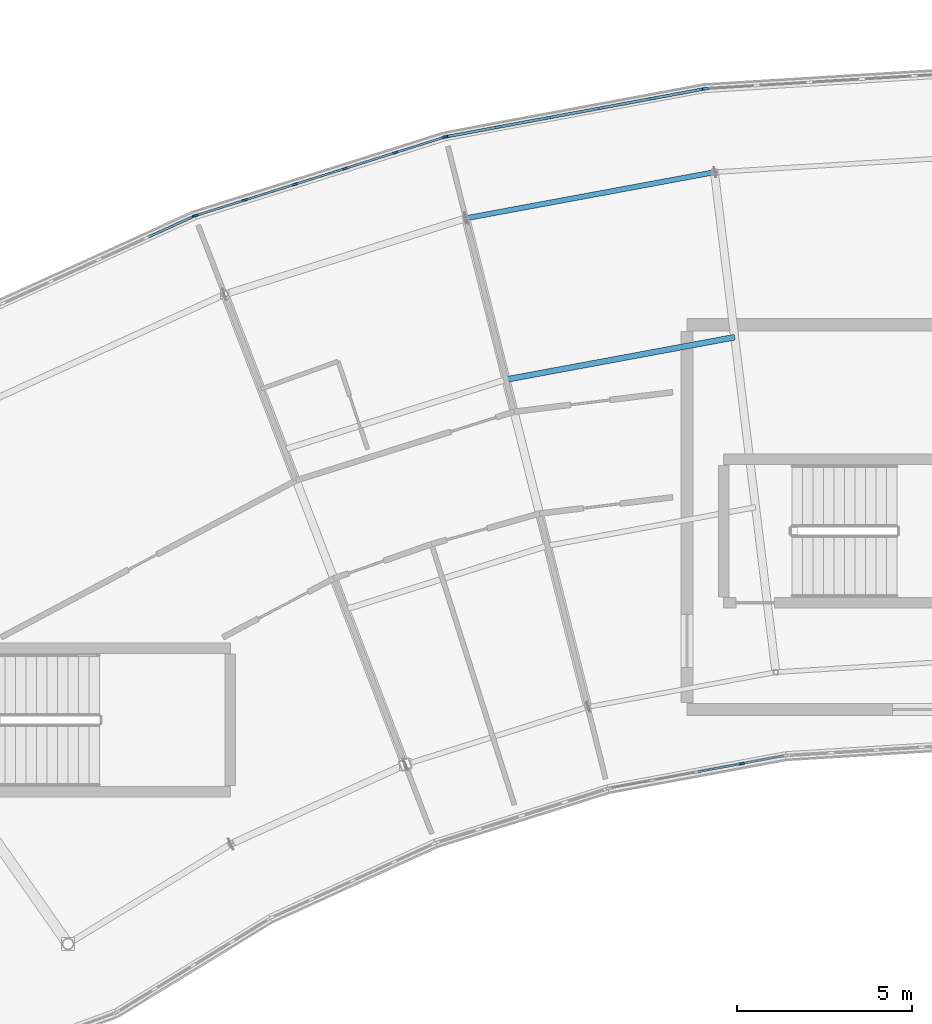
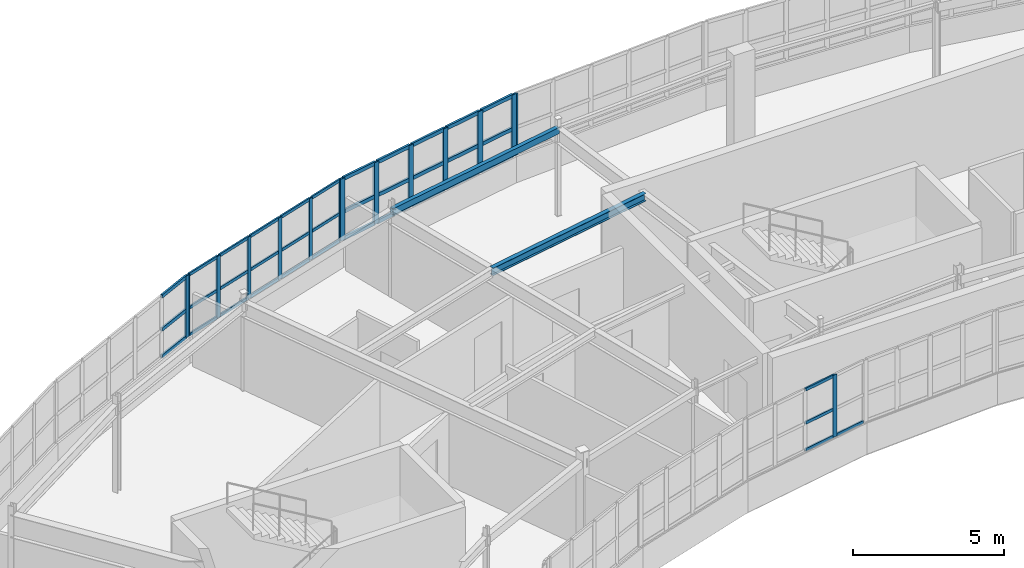
# One storey, part 36 of 79: 52 members, 2 beams, 5 elements without a shape of their own.
"""IFC4 building model written with IfcOpenShell, lengths in metres."""

from ifc_helpers import new_model, si_unit, direction, frame, origin, origin_2d, place, context, subcontext, project, spatial, rectangle, hollow_rectangle, i_section, extrude, material, layer, layer_set, material_profile, profile_set, type_object, element, aggregate, save


model = new_model("IFC4")

# Units and contexts
model_context = context("Model", 3, precision=1e-05, world=origin(), true_north=direction((0.0, 1.0)))
body_context = subcontext(model_context, "Body", "Model", "MODEL_VIEW")
ifc_project = project(units=[si_unit("LENGTHUNIT", "METRE"), si_unit("AREAUNIT", "SQUARE_METRE"), si_unit("VOLUMEUNIT", "CUBIC_METRE"), si_unit("PLANEANGLEUNIT", "RADIAN"), si_unit("MASSUNIT", "GRAM", prefix="KILO")], contexts=[model_context])

# Site, building, storey
site_placement = place(None, origin())
site = spatial("IfcSite", under=ifc_project, at=site_placement, CompositionType="ELEMENT")
building_placement = place(site_placement, origin())
building = spatial("IfcBuilding", under=site, at=building_placement, Name="Tarnwether General Hospital", CompositionType="ELEMENT")
storey_placement = place(building_placement, frame((0.0, 0.0, 18.300048828125)))
storey = spatial("IfcBuildingStorey", under=building, at=storey_placement, Name="L04", CompositionType="ELEMENT", Elevation=18.300048828125)

# Beams
ifc_material_1 = material(Name="Steel Grade 350 (350 MPa)", Category="steel")
ifc_material_profile_1 = material_profile(ifc_material_1, i_section(OverallWidth=0.166015625, OverallDepth=0.306884765625, WebThickness=0.006591796875, FlangeThickness=0.01171875, at=origin_2d()), Name="310UB46.2")
ifc_profile_set_1 = profile_set([ifc_material_profile_1], Name="Steel Grade 350 (350 MPa)")
beam_type_1 = type_object("IfcBeamType", Name="BM-J05", PredefinedType="JOIST", material=ifc_profile_set_1)
beam_1_placement = place(storey_placement, frame((78.827880859375, 115.8310546875, 3.406494140625), z_axis=(0.983267388773, 0.18216817004, 0.0), x_axis=(-0.18216817004, 0.983267388773, 0.0)))
element("IfcBeam", 1, at=beam_1_placement, inside=storey, type_object=beam_type_1, Name="Curved Ward NW Chord Joist BMG-L04-7883_11583-8536_11704-1965", PredefinedType="JOIST", context=body_context, shape_type="SweptSolid", body=[
    extrude(i_section(OverallWidth=0.166015625, OverallDepth=0.306884765625, WebThickness=0.006591796875, FlangeThickness=0.01171875, at=origin_2d()), origin(), (0.0, 0.0, 1.0), 6.6474609375),
])
ifc_material_2 = material(Name="Steel Grade C350L0 (350 MPa)", Category="steel")
ifc_material_profile_2 = material_profile(ifc_material_2, hollow_rectangle(XDim=0.14990234375, YDim=0.25, WallThickness=0.010009765625, at=origin_2d()), Name="RHS250x150x10")
ifc_profile_set_2 = profile_set([ifc_material_profile_2], Name="Steel Grade C350L0 (350 MPa)")
beam_type_2 = type_object("IfcBeamType", Name="BM-SP4", PredefinedType="SPANDREL", material=ifc_profile_set_2)
beam_2_placement = place(storey_placement, frame((77.677978515625, 120.44189453125, 3.43505859375), z_axis=(0.98325623662, 0.182228354399, 0.0), x_axis=(-0.182228354399, 0.98325623662, 0.0)))
element("IfcBeam", 2, at=beam_2_placement, inside=storey, type_object=beam_type_2, Name="Curved Ward NW Outer Spandrel BMG-L04-7768_12044-8478_12176-1963", PredefinedType="SPANDREL", context=body_context, shape_type="SweptSolid", body=[
    extrude(hollow_rectangle(XDim=0.14990234375, YDim=0.25, WallThickness=0.010009765625, at=origin_2d()), origin(), (0.0, 0.0, 1.0), 7.22802734375),
])

# Curtain wall, member
ifc_material_3 = material(Name="Anodised aluminium", Category="aluminium")
ifc_layer_1 = layer(ifc_material_3, 0.159912109375)
ifc_layer_set_1 = layer_set([ifc_layer_1], Name="Anodised aluminium")
curtain_wall_type_1 = type_object("IfcCurtainWallType", Name="CW-04", PredefinedType="NOTDEFINED", material=ifc_layer_set_1)
curtain_wall_1_placement = place(storey_placement, origin())
curtain_wall_1 = element("IfcCurtainWall", 3, at=curtain_wall_1_placement, inside=storey, type_object=curtain_wall_type_1, Name="Curtain Wall CWG-L04-868_1051-0041", PredefinedType="NOTDEFINED")
ifc_material_4 = material(Name="Anodised aluminium", Category="aluminium")
ifc_material_profile_3 = material_profile(ifc_material_4, rectangle(XDim=0.06005859375, YDim=0.159912109375, at=origin_2d()), Name="ALU-MUL-60x160")
ifc_profile_set_3 = profile_set([ifc_material_profile_3], Name="Anodised aluminium")
member_type_1 = type_object("IfcMemberType", Name="CW-ML1", PredefinedType="MULLION", material=ifc_profile_set_3)
member_1_placement = place(storey_placement, frame((85.560546875, 104.84814453125, 1.050048828125), z_axis=(0.0, 0.0, 1.0), x_axis=(0.182165351666, -0.983267910924, 0.0)))
member_1 = element("IfcMember", 4, at=member_1_placement, type_object=member_type_1, Name="CW-04 mullion 2", PredefinedType="MULLION", context=body_context, shape_type="SweptSolid", body=[
    extrude(rectangle(XDim=0.06005859375, YDim=0.159912109375, at=origin_2d()), origin(), (0.0, 0.0, 1.0), 2.489990234375),
])

# Curtain wall, members
ifc_material_5 = material(Name="Anodised aluminium", Category="aluminium")
ifc_layer_2 = layer(ifc_material_5, 0.159912109375)
ifc_layer_set_2 = layer_set([ifc_layer_2], Name="Anodised aluminium")
curtain_wall_type_2 = type_object("IfcCurtainWallType", Name="CW-02", PredefinedType="NOTDEFINED", material=ifc_layer_set_2)
curtain_wall_2_placement = place(storey_placement, origin())
curtain_wall_2 = element("IfcCurtainWall", 5, at=curtain_wall_2_placement, inside=storey, type_object=curtain_wall_type_2, Name="Curtain Wall CWG-L04-699_1205-0061", PredefinedType="NOTDEFINED")
member_2_placement = place(storey_placement, frame((69.95361328125, 120.51806640625, 1.050048828125), z_axis=(0.0, 0.0, 1.0), x_axis=(-0.300628613299, 0.953741284032, 0.0)))
member_2 = element("IfcMember", 6, at=member_2_placement, type_object=member_type_1, Name="CW-02 mullion 1", PredefinedType="MULLION", context=body_context, shape_type="SweptSolid", body=[
    extrude(rectangle(XDim=0.06005859375, YDim=0.159912109375, at=origin_2d()), origin(), (0.0, 0.0, 1.0), 2.489990234375),
])
member_3_placement = place(storey_placement, frame((71.359619140625, 120.961181640625, 1.050048828125), z_axis=(0.0, 0.0, 1.0), x_axis=(-0.300628613299, 0.953741284032, 0.0)))
member_3 = element("IfcMember", 7, at=member_3_placement, type_object=member_type_1, Name="CW-02 mullion 2", PredefinedType="MULLION", context=body_context, shape_type="SweptSolid", body=[
    extrude(rectangle(XDim=0.06005859375, YDim=0.159912109375, at=origin_2d()), origin(), (0.0, 0.0, 1.0), 2.489990234375),
])
member_4_placement = place(storey_placement, frame((72.794189453125, 121.413330078125, 1.050048828125), z_axis=(0.0, 0.0, 1.0), x_axis=(-0.300628613299, 0.953741284032, 0.0)))
member_4 = element("IfcMember", 8, at=member_4_placement, type_object=member_type_1, Name="CW-02 mullion 3", PredefinedType="MULLION", context=body_context, shape_type="SweptSolid", body=[
    extrude(rectangle(XDim=0.06005859375, YDim=0.159912109375, at=origin_2d()), origin(), (0.0, 0.0, 1.0), 2.489990234375),
])
member_5_placement = place(storey_placement, frame((74.228759765625, 121.865478515625, 1.050048828125), z_axis=(0.0, 0.0, 1.0), x_axis=(-0.300628613299, 0.953741284032, 0.0)))
member_5 = element("IfcMember", 9, at=member_5_placement, type_object=member_type_1, Name="CW-02 mullion 4", PredefinedType="MULLION", context=body_context, shape_type="SweptSolid", body=[
    extrude(rectangle(XDim=0.06005859375, YDim=0.159912109375, at=origin_2d()), origin(), (0.0, 0.0, 1.0), 2.489990234375),
])
member_6_placement = place(storey_placement, frame((75.663330078125, 122.31787109375, 1.050048828125), z_axis=(0.0, 0.0, 1.0), x_axis=(-0.300628613299, 0.953741284032, 0.0)))
member_6 = element("IfcMember", 10, at=member_6_placement, type_object=member_type_1, Name="CW-02 mullion 5", PredefinedType="MULLION", context=body_context, shape_type="SweptSolid", body=[
    extrude(rectangle(XDim=0.06005859375, YDim=0.159912109375, at=origin_2d()), origin(), (0.0, 0.0, 1.0), 2.489990234375),
])
member_7_placement = place(storey_placement, frame((77.0693359375, 122.760986328125, 1.050048828125), z_axis=(0.0, 0.0, 1.0), x_axis=(-0.300628613299, 0.953741284032, 0.0)))
member_7 = element("IfcMember", 11, at=member_7_placement, type_object=member_type_1, Name="CW-02 mullion 6", PredefinedType="MULLION", context=body_context, shape_type="SweptSolid", body=[
    extrude(rectangle(XDim=0.06005859375, YDim=0.159912109375, at=origin_2d()), origin(), (0.0, 0.0, 1.0), 2.489990234375),
])

# Curtain wall, member
curtain_wall_3_placement = place(storey_placement, origin())
curtain_wall_3 = element("IfcCurtainWall", 12, at=curtain_wall_3_placement, inside=storey, type_object=curtain_wall_type_2, Name="Curtain Wall CWG-L04-631_1174-0062", PredefinedType="NOTDEFINED")
ifc_material_6 = material(Name="Anodised aluminium", Category="aluminium")
ifc_material_profile_4 = material_profile(ifc_material_6, rectangle(XDim=0.070068359375, YDim=0.179931640625, at=origin_2d()), Name="ALU-MUL-70x180")
ifc_profile_set_4 = profile_set([ifc_material_profile_4], Name="Anodised aluminium")
member_type_2 = type_object("IfcMemberType", Name="CW-ML2", PredefinedType="MULLION", material=ifc_profile_set_4)
member_8_placement = place(storey_placement, frame((69.89306640625, 120.494384765625, 1.050048828125), z_axis=(0.0, 0.0, 1.0), x_axis=(-0.414694289316, 0.909960793886, 0.0)))
member_8 = element("IfcMember", 13, at=member_8_placement, type_object=member_type_2, Name="CW-02 mullion 6", PredefinedType="MULLION", context=body_context, shape_type="SweptSolid", body=[
    extrude(rectangle(XDim=0.070068359375, YDim=0.179931640625, at=origin_2d()), origin(), (0.0, 0.0, 1.0), 2.489990234375),
])

curtain_wall_4_placement = place(storey_placement, origin())
curtain_wall_4 = element("IfcCurtainWall", 14, at=curtain_wall_4_placement, inside=storey, type_object=curtain_wall_type_2, Name="Curtain Wall CWG-L04-845_1241-0059", PredefinedType="NOTDEFINED")
ifc_material_7 = material(Name="Anodised aluminium", Category="aluminium")
ifc_material_profile_5 = material_profile(ifc_material_7, rectangle(XDim=0.06494140625, YDim=0.169921875, at=origin_2d()), Name="ALU-MUL-65x170")
ifc_profile_set_5 = profile_set([ifc_material_profile_5], Name="Anodised aluminium")
member_type_3 = type_object("IfcMemberType", Name="CW-ML3", PredefinedType="MULLION", material=ifc_profile_set_5)
member_9_placement = place(storey_placement, frame((84.525390625, 124.14306640625, 1.050048828125), z_axis=(0.0, 0.0, 1.0), x_axis=(-0.061028962567, 0.998135995608, 0.0)))
member_9 = element("IfcMember", 15, at=member_9_placement, type_object=member_type_3, Name="CW-02 mullion 1", PredefinedType="MULLION", context=body_context, shape_type="SweptSolid", body=[
    extrude(rectangle(XDim=0.06494140625, YDim=0.169921875, at=origin_2d()), origin(), (0.0, 0.0, 1.0), 2.489990234375),
])
aggregate(curtain_wall_4, [member_9])

# Curtain wall, members
curtain_wall_5_placement = place(storey_placement, origin())
curtain_wall_5 = element("IfcCurtainWall", 16, at=curtain_wall_5_placement, inside=storey, type_object=curtain_wall_type_2, Name="Curtain Wall CWG-L04-771_1228-0060", PredefinedType="NOTDEFINED")
ifc_material_8 = material(Name="Anodised aluminium", Category="aluminium")
ifc_material_profile_6 = material_profile(ifc_material_8, rectangle(XDim=0.080078125, YDim=0.199951171875, at=origin_2d()), Name="ALU-MUL-80x200")
ifc_profile_set_6 = profile_set([ifc_material_profile_6], Name="Anodised aluminium")
member_type_4 = type_object("IfcMemberType", Name="CW-ML4", PredefinedType="MULLION", material=ifc_profile_set_6)
member_10_placement = place(storey_placement, frame((77.137451171875, 122.77734375, 1.050048828125), z_axis=(0.0, 0.0, 1.0), x_axis=(-0.182289226614, 0.983244953132, 0.0)))
member_10 = element("IfcMember", 17, at=member_10_placement, type_object=member_type_4, Name="CW-02 mullion 1", PredefinedType="MULLION", context=body_context, shape_type="SweptSolid", body=[
    extrude(rectangle(XDim=0.080078125, YDim=0.199951171875, at=origin_2d()), origin(), (0.0, 0.0, 1.0), 2.489990234375),
])
member_11_placement = place(storey_placement, frame((78.576904296875, 123.044189453125, 1.050048828125), z_axis=(0.0, 0.0, 1.0), x_axis=(-0.182289226614, 0.983244953132, 0.0)))
member_11 = element("IfcMember", 18, at=member_11_placement, type_object=member_type_4, Name="CW-02 mullion 2", PredefinedType="MULLION", context=body_context, shape_type="SweptSolid", body=[
    extrude(rectangle(XDim=0.080078125, YDim=0.199951171875, at=origin_2d()), origin(), (0.0, 0.0, 1.0), 2.489990234375),
])
member_12_placement = place(storey_placement, frame((80.055908203125, 123.318359375, 1.050048828125), z_axis=(0.0, 0.0, 1.0), x_axis=(-0.182289226614, 0.983244953132, 0.0)))
member_12 = element("IfcMember", 19, at=member_12_placement, type_object=member_type_4, Name="CW-02 mullion 3", PredefinedType="MULLION", context=body_context, shape_type="SweptSolid", body=[
    extrude(rectangle(XDim=0.080078125, YDim=0.199951171875, at=origin_2d()), origin(), (0.0, 0.0, 1.0), 2.489990234375),
])
member_13_placement = place(storey_placement, frame((81.534912109375, 123.592529296875, 1.050048828125), z_axis=(0.0, 0.0, 1.0), x_axis=(-0.182289226614, 0.983244953132, 0.0)))
member_13 = element("IfcMember", 20, at=member_13_placement, type_object=member_type_4, Name="CW-02 mullion 4", PredefinedType="MULLION", context=body_context, shape_type="SweptSolid", body=[
    extrude(rectangle(XDim=0.080078125, YDim=0.199951171875, at=origin_2d()), origin(), (0.0, 0.0, 1.0), 2.489990234375),
])
member_14_placement = place(storey_placement, frame((83.013916015625, 123.86669921875, 1.050048828125), z_axis=(0.0, 0.0, 1.0), x_axis=(-0.182289226614, 0.983244953132, 0.0)))
member_14 = element("IfcMember", 21, at=member_14_placement, type_object=member_type_4, Name="CW-02 mullion 5", PredefinedType="MULLION", context=body_context, shape_type="SweptSolid", body=[
    extrude(rectangle(XDim=0.080078125, YDim=0.199951171875, at=origin_2d()), origin(), (0.0, 0.0, 1.0), 2.489990234375),
])
member_15_placement = place(storey_placement, frame((84.45361328125, 124.1337890625, 1.050048828125), z_axis=(0.0, 0.0, 1.0), x_axis=(-0.182289226614, 0.983244953132, 0.0)))
member_15 = element("IfcMember", 22, at=member_15_placement, type_object=member_type_4, Name="CW-02 mullion 6", PredefinedType="MULLION", context=body_context, shape_type="SweptSolid", body=[
    extrude(rectangle(XDim=0.080078125, YDim=0.199951171875, at=origin_2d()), origin(), (0.0, 0.0, 1.0), 2.489990234375),
])

# Member
ifc_material_9 = material(Name="Anodised aluminium", Category="aluminium")
ifc_material_profile_7 = material_profile(ifc_material_9, rectangle(XDim=0.06005859375, YDim=0.1201171875, at=origin_2d()), Name="ALU-TRN-60x120")
ifc_profile_set_7 = profile_set([ifc_material_profile_7], Name="Anodised aluminium")
member_type_5 = type_object("IfcMemberType", Name="CW-TR1", PredefinedType="USERDEFINED", material=ifc_profile_set_7)
member_16_placement = place(storey_placement, frame((86.77392578125, 105.072998046875, 1.079833984375), z_axis=(-0.983280660262, -0.182096521533, 0.0), x_axis=(0.182096521533, -0.983280660262, 0.0)))
member_16 = element("IfcMember", 23, at=member_16_placement, type_object=member_type_5, Name="CW-04 transom 1.1", ObjectType="TRANSOM", PredefinedType="USERDEFINED", context=body_context, shape_type="SweptSolid", body=[
    extrude(rectangle(XDim=0.06005859375, YDim=0.1201171875, at=origin_2d()), origin(), (0.0, 0.0, 1.0), 1.203857421875),
])

member_17_placement = place(storey_placement, frame((85.531005859375, 104.8427734375, 1.079833984375), z_axis=(-0.983266261218, -0.182174256001, 0.0), x_axis=(0.182174256001, -0.983266261218, 0.0)))
member_17 = element("IfcMember", 24, at=member_17_placement, type_object=member_type_5, Name="CW-04 transom 2.1", ObjectType="TRANSOM", PredefinedType="USERDEFINED", context=body_context, shape_type="SweptSolid", body=[
    extrude(rectangle(XDim=0.06005859375, YDim=0.1201171875, at=origin_2d()), origin(), (0.0, 0.0, 1.0), 1.234375),
])

member_18_placement = place(storey_placement, frame((85.531005859375, 104.8427734375, 2.17041015625), z_axis=(-0.983266261218, -0.182174256001, 0.0), x_axis=(0.182174256001, -0.983266261218, 0.0)))
member_18 = element("IfcMember", 25, at=member_18_placement, type_object=member_type_5, Name="CW-04 transom 2.2", ObjectType="TRANSOM", PredefinedType="USERDEFINED", context=body_context, shape_type="SweptSolid", body=[
    extrude(rectangle(XDim=0.06005859375, YDim=0.1201171875, at=origin_2d()), origin(), (0.0, 0.0, 1.0), 1.234375),
])

member_19_placement = place(storey_placement, frame((85.531005859375, 104.8427734375, 3.510009765625), z_axis=(-0.983266261218, -0.182174256001, 0.0), x_axis=(0.182174256001, -0.983266261218, 0.0)))
member_19 = element("IfcMember", 26, at=member_19_placement, type_object=member_type_5, Name="CW-04 transom 2.3", ObjectType="TRANSOM", PredefinedType="USERDEFINED", context=body_context, shape_type="SweptSolid", body=[
    extrude(rectangle(XDim=0.06005859375, YDim=0.1201171875, at=origin_2d()), origin(), (0.0, 0.0, 1.0), 1.234375),
])

aggregate(curtain_wall_1, [member_1, member_16, member_17, member_18, member_19])

member_20_placement = place(storey_placement, frame((69.982177734375, 120.527099609375, 1.079833984375), z_axis=(0.95376772244, 0.300544724845, 0.0), x_axis=(-0.300544724845, 0.95376772244, 0.0)))
member_20 = element("IfcMember", 27, at=member_20_placement, type_object=member_type_5, Name="CW-02 transom 1.1", ObjectType="TRANSOM", PredefinedType="USERDEFINED", context=body_context, shape_type="SweptSolid", body=[
    extrude(rectangle(XDim=0.06005859375, YDim=0.1201171875, at=origin_2d()), origin(), (0.0, 0.0, 1.0), 1.414306640625),
])

member_21_placement = place(storey_placement, frame((69.982177734375, 120.527099609375, 2.17041015625), z_axis=(0.95376772244, 0.300544724845, 0.0), x_axis=(-0.300544724845, 0.95376772244, 0.0)))
member_21 = element("IfcMember", 28, at=member_21_placement, type_object=member_type_5, Name="CW-02 transom 1.2", ObjectType="TRANSOM", PredefinedType="USERDEFINED", context=body_context, shape_type="SweptSolid", body=[
    extrude(rectangle(XDim=0.06005859375, YDim=0.1201171875, at=origin_2d()), origin(), (0.0, 0.0, 1.0), 1.414306640625),
])

member_22_placement = place(storey_placement, frame((69.982177734375, 120.527099609375, 3.510009765625), z_axis=(0.95376772244, 0.300544724845, 0.0), x_axis=(-0.300544724845, 0.95376772244, 0.0)))
member_22 = element("IfcMember", 29, at=member_22_placement, type_object=member_type_5, Name="CW-02 transom 1.3", ObjectType="TRANSOM", PredefinedType="USERDEFINED", context=body_context, shape_type="SweptSolid", body=[
    extrude(rectangle(XDim=0.06005859375, YDim=0.1201171875, at=origin_2d()), origin(), (0.0, 0.0, 1.0), 1.414306640625),
])

member_23_placement = place(storey_placement, frame((71.38818359375, 120.97021484375, 1.079833984375), z_axis=(0.953761337275, 0.300564987181, 0.0), x_axis=(-0.300564987181, 0.953761337275, 0.0)))
member_23 = element("IfcMember", 30, at=member_23_placement, type_object=member_type_5, Name="CW-02 transom 2.1", ObjectType="TRANSOM", PredefinedType="USERDEFINED", context=body_context, shape_type="SweptSolid", body=[
    extrude(rectangle(XDim=0.06005859375, YDim=0.1201171875, at=origin_2d()), origin(), (0.0, 0.0, 1.0), 1.4443359375),
])

member_24_placement = place(storey_placement, frame((71.38818359375, 120.97021484375, 2.17041015625), z_axis=(0.953761337275, 0.300564987181, 0.0), x_axis=(-0.300564987181, 0.953761337275, 0.0)))
member_24 = element("IfcMember", 31, at=member_24_placement, type_object=member_type_5, Name="CW-02 transom 2.2", ObjectType="TRANSOM", PredefinedType="USERDEFINED", context=body_context, shape_type="SweptSolid", body=[
    extrude(rectangle(XDim=0.06005859375, YDim=0.1201171875, at=origin_2d()), origin(), (0.0, 0.0, 1.0), 1.4443359375),
])

member_25_placement = place(storey_placement, frame((71.38818359375, 120.97021484375, 3.510009765625), z_axis=(0.953761337275, 0.300564987181, 0.0), x_axis=(-0.300564987181, 0.953761337275, 0.0)))
member_25 = element("IfcMember", 32, at=member_25_placement, type_object=member_type_5, Name="CW-02 transom 2.3", ObjectType="TRANSOM", PredefinedType="USERDEFINED", context=body_context, shape_type="SweptSolid", body=[
    extrude(rectangle(XDim=0.06005859375, YDim=0.1201171875, at=origin_2d()), origin(), (0.0, 0.0, 1.0), 1.4443359375),
])

member_26_placement = place(storey_placement, frame((72.82275390625, 121.42236328125, 1.079833984375), z_axis=(0.953712867195, 0.300718750574, 0.0), x_axis=(-0.300718750574, 0.953712867195, 0.0)))
member_26 = element("IfcMember", 33, at=member_26_placement, type_object=member_type_5, Name="CW-02 transom 3.1", ObjectType="TRANSOM", PredefinedType="USERDEFINED", context=body_context, shape_type="SweptSolid", body=[
    extrude(rectangle(XDim=0.06005859375, YDim=0.1201171875, at=origin_2d()), origin(), (0.0, 0.0, 1.0), 1.4443359375),
])

member_27_placement = place(storey_placement, frame((72.82275390625, 121.42236328125, 2.17041015625), z_axis=(0.953712867195, 0.300718750574, 0.0), x_axis=(-0.300718750574, 0.953712867195, 0.0)))
member_27 = element("IfcMember", 34, at=member_27_placement, type_object=member_type_5, Name="CW-02 transom 3.2", ObjectType="TRANSOM", PredefinedType="USERDEFINED", context=body_context, shape_type="SweptSolid", body=[
    extrude(rectangle(XDim=0.06005859375, YDim=0.1201171875, at=origin_2d()), origin(), (0.0, 0.0, 1.0), 1.4443359375),
])

member_28_placement = place(storey_placement, frame((72.82275390625, 121.42236328125, 3.510009765625), z_axis=(0.953712867195, 0.300718750574, 0.0), x_axis=(-0.300718750574, 0.953712867195, 0.0)))
member_28 = element("IfcMember", 35, at=member_28_placement, type_object=member_type_5, Name="CW-02 transom 3.3", ObjectType="TRANSOM", PredefinedType="USERDEFINED", context=body_context, shape_type="SweptSolid", body=[
    extrude(rectangle(XDim=0.06005859375, YDim=0.1201171875, at=origin_2d()), origin(), (0.0, 0.0, 1.0), 1.4443359375),
])

member_29_placement = place(storey_placement, frame((74.25732421875, 121.87451171875, 1.079833984375), z_axis=(0.953712867195, 0.300718750574, 0.0), x_axis=(-0.300718750574, 0.953712867195, 0.0)))
member_29 = element("IfcMember", 36, at=member_29_placement, type_object=member_type_5, Name="CW-02 transom 4.1", ObjectType="TRANSOM", PredefinedType="USERDEFINED", context=body_context, shape_type="SweptSolid", body=[
    extrude(rectangle(XDim=0.06005859375, YDim=0.1201171875, at=origin_2d()), origin(), (0.0, 0.0, 1.0), 1.4443359375),
])

member_30_placement = place(storey_placement, frame((74.25732421875, 121.87451171875, 2.17041015625), z_axis=(0.953712867195, 0.300718750574, 0.0), x_axis=(-0.300718750574, 0.953712867195, 0.0)))
member_30 = element("IfcMember", 37, at=member_30_placement, type_object=member_type_5, Name="CW-02 transom 4.2", ObjectType="TRANSOM", PredefinedType="USERDEFINED", context=body_context, shape_type="SweptSolid", body=[
    extrude(rectangle(XDim=0.06005859375, YDim=0.1201171875, at=origin_2d()), origin(), (0.0, 0.0, 1.0), 1.4443359375),
])

member_31_placement = place(storey_placement, frame((74.25732421875, 121.87451171875, 3.510009765625), z_axis=(0.953712867195, 0.300718750574, 0.0), x_axis=(-0.300718750574, 0.953712867195, 0.0)))
member_31 = element("IfcMember", 38, at=member_31_placement, type_object=member_type_5, Name="CW-02 transom 4.3", ObjectType="TRANSOM", PredefinedType="USERDEFINED", context=body_context, shape_type="SweptSolid", body=[
    extrude(rectangle(XDim=0.06005859375, YDim=0.1201171875, at=origin_2d()), origin(), (0.0, 0.0, 1.0), 1.4443359375),
])

member_32_placement = place(storey_placement, frame((75.69189453125, 122.326904296875, 1.079833984375), z_axis=(0.95376772244, 0.300544724845, 0.0), x_axis=(-0.300544724845, 0.95376772244, 0.0)))
member_32 = element("IfcMember", 39, at=member_32_placement, type_object=member_type_5, Name="CW-02 transom 5.1", ObjectType="TRANSOM", PredefinedType="USERDEFINED", context=body_context, shape_type="SweptSolid", body=[
    extrude(rectangle(XDim=0.06005859375, YDim=0.1201171875, at=origin_2d()), origin(), (0.0, 0.0, 1.0), 1.414306640625),
])

member_33_placement = place(storey_placement, frame((75.69189453125, 122.326904296875, 2.17041015625), z_axis=(0.95376772244, 0.300544724845, 0.0), x_axis=(-0.300544724845, 0.95376772244, 0.0)))
member_33 = element("IfcMember", 40, at=member_33_placement, type_object=member_type_5, Name="CW-02 transom 5.2", ObjectType="TRANSOM", PredefinedType="USERDEFINED", context=body_context, shape_type="SweptSolid", body=[
    extrude(rectangle(XDim=0.06005859375, YDim=0.1201171875, at=origin_2d()), origin(), (0.0, 0.0, 1.0), 1.414306640625),
])

member_34_placement = place(storey_placement, frame((75.69189453125, 122.326904296875, 3.510009765625), z_axis=(0.95376772244, 0.300544724845, 0.0), x_axis=(-0.300544724845, 0.95376772244, 0.0)))
member_34 = element("IfcMember", 41, at=member_34_placement, type_object=member_type_5, Name="CW-02 transom 5.3", ObjectType="TRANSOM", PredefinedType="USERDEFINED", context=body_context, shape_type="SweptSolid", body=[
    extrude(rectangle(XDim=0.06005859375, YDim=0.1201171875, at=origin_2d()), origin(), (0.0, 0.0, 1.0), 1.414306640625),
])

aggregate(curtain_wall_2, [member_2, member_3, member_4, member_5, member_6, member_7, member_20, member_21, member_22, member_23, member_24, member_25, member_26, member_27, member_28, member_29, member_30, member_31, member_32, member_33, member_34])

ifc_material_10 = material(Name="Anodised aluminium", Category="aluminium")
ifc_material_profile_8 = material_profile(ifc_material_10, rectangle(XDim=0.070068359375, YDim=0.139892578125, at=origin_2d()), Name="ALU-TRN-70x140")
ifc_profile_set_8 = profile_set([ifc_material_profile_8], Name="Anodised aluminium")
member_type_6 = type_object("IfcMemberType", Name="CW-TR2", PredefinedType="USERDEFINED", material=ifc_profile_set_8)
member_35_placement = place(storey_placement, frame((68.588134765625, 119.899658203125, 1.0849609375), z_axis=(0.909935750091, 0.414749238344, 0.0), x_axis=(-0.414749238344, 0.909935750091, 0.0)))
member_35 = element("IfcMember", 42, at=member_35_placement, type_object=member_type_6, Name="CW-02 transom 5.1", ObjectType="TRANSOM", PredefinedType="USERDEFINED", context=body_context, shape_type="SweptSolid", body=[
    extrude(rectangle(XDim=0.070068359375, YDim=0.139892578125, at=origin_2d()), origin(), (0.0, 0.0, 1.0), 1.399169921875),
])

member_36_placement = place(storey_placement, frame((68.588134765625, 119.899658203125, 2.17041015625), z_axis=(0.909935750091, 0.414749238344, 0.0), x_axis=(-0.414749238344, 0.909935750091, 0.0)))
member_36 = element("IfcMember", 43, at=member_36_placement, type_object=member_type_6, Name="CW-02 transom 5.2", ObjectType="TRANSOM", PredefinedType="USERDEFINED", context=body_context, shape_type="SweptSolid", body=[
    extrude(rectangle(XDim=0.070068359375, YDim=0.139892578125, at=origin_2d()), origin(), (0.0, 0.0, 1.0), 1.399169921875),
])

member_37_placement = place(storey_placement, frame((68.588134765625, 119.899658203125, 3.5048828125), z_axis=(0.909935750091, 0.414749238344, 0.0), x_axis=(-0.414749238344, 0.909935750091, 0.0)))
member_37 = element("IfcMember", 44, at=member_37_placement, type_object=member_type_6, Name="CW-02 transom 5.3", ObjectType="TRANSOM", PredefinedType="USERDEFINED", context=body_context, shape_type="SweptSolid", body=[
    extrude(rectangle(XDim=0.070068359375, YDim=0.139892578125, at=origin_2d()), origin(), (0.0, 0.0, 1.0), 1.399169921875),
])

aggregate(curtain_wall_3, [member_8, member_35, member_36, member_37])

ifc_material_11 = material(Name="Anodised aluminium", Category="aluminium")
ifc_material_profile_9 = material_profile(ifc_material_11, rectangle(XDim=0.080078125, YDim=0.14990234375, at=origin_2d()), Name="ALU-TRN-80x150")
ifc_profile_set_9 = profile_set([ifc_material_profile_9], Name="Anodised aluminium")
member_type_7 = type_object("IfcMemberType", Name="CW-TR4", PredefinedType="USERDEFINED", material=ifc_profile_set_9)
member_38_placement = place(storey_placement, frame((77.1767578125, 122.78466796875, 1.08984375), z_axis=(0.983257430954, 0.182221909971, 0.0), x_axis=(-0.182221909971, 0.983257430954, 0.0)))
member_38 = element("IfcMember", 45, at=member_38_placement, type_object=member_type_7, Name="CW-02 transom 1.1", ObjectType="TRANSOM", PredefinedType="USERDEFINED", context=body_context, shape_type="SweptSolid", body=[
    extrude(rectangle(XDim=0.080078125, YDim=0.14990234375, at=origin_2d()), origin(), (0.0, 0.0, 1.0), 1.384033203125),
])

member_39_placement = place(storey_placement, frame((77.1767578125, 122.78466796875, 2.17041015625), z_axis=(0.983257430954, 0.182221909971, 0.0), x_axis=(-0.182221909971, 0.983257430954, 0.0)))
member_39 = element("IfcMember", 46, at=member_39_placement, type_object=member_type_7, Name="CW-02 transom 1.2", ObjectType="TRANSOM", PredefinedType="USERDEFINED", context=body_context, shape_type="SweptSolid", body=[
    extrude(rectangle(XDim=0.080078125, YDim=0.14990234375, at=origin_2d()), origin(), (0.0, 0.0, 1.0), 1.384033203125),
])

member_40_placement = place(storey_placement, frame((77.1767578125, 122.78466796875, 3.5), z_axis=(0.983257430954, 0.182221909971, 0.0), x_axis=(-0.182221909971, 0.983257430954, 0.0)))
member_40 = element("IfcMember", 47, at=member_40_placement, type_object=member_type_7, Name="CW-02 transom 1.3", ObjectType="TRANSOM", PredefinedType="USERDEFINED", context=body_context, shape_type="SweptSolid", body=[
    extrude(rectangle(XDim=0.080078125, YDim=0.14990234375, at=origin_2d()), origin(), (0.0, 0.0, 1.0), 1.384033203125),
])

member_41_placement = place(storey_placement, frame((78.6162109375, 123.051513671875, 1.08984375), z_axis=(0.983258125219, 0.182218163722, 0.0), x_axis=(-0.182218163722, 0.983258125219, 0.0)))
member_41 = element("IfcMember", 48, at=member_41_placement, type_object=member_type_7, Name="CW-02 transom 2.1", ObjectType="TRANSOM", PredefinedType="USERDEFINED", context=body_context, shape_type="SweptSolid", body=[
    extrude(rectangle(XDim=0.080078125, YDim=0.14990234375, at=origin_2d()), origin(), (0.0, 0.0, 1.0), 1.42431640625),
])

member_42_placement = place(storey_placement, frame((78.6162109375, 123.051513671875, 2.17041015625), z_axis=(0.983258125219, 0.182218163722, 0.0), x_axis=(-0.182218163722, 0.983258125219, 0.0)))
member_42 = element("IfcMember", 49, at=member_42_placement, type_object=member_type_7, Name="CW-02 transom 2.2", ObjectType="TRANSOM", PredefinedType="USERDEFINED", context=body_context, shape_type="SweptSolid", body=[
    extrude(rectangle(XDim=0.080078125, YDim=0.14990234375, at=origin_2d()), origin(), (0.0, 0.0, 1.0), 1.42431640625),
])

member_43_placement = place(storey_placement, frame((78.6162109375, 123.051513671875, 3.5), z_axis=(0.983258125219, 0.182218163722, 0.0), x_axis=(-0.182218163722, 0.983258125219, 0.0)))
member_43 = element("IfcMember", 50, at=member_43_placement, type_object=member_type_7, Name="CW-02 transom 2.3", ObjectType="TRANSOM", PredefinedType="USERDEFINED", context=body_context, shape_type="SweptSolid", body=[
    extrude(rectangle(XDim=0.080078125, YDim=0.14990234375, at=origin_2d()), origin(), (0.0, 0.0, 1.0), 1.42431640625),
])

member_44_placement = place(storey_placement, frame((80.09521484375, 123.32568359375, 1.08984375), z_axis=(0.983258125219, 0.182218163722, 0.0), x_axis=(-0.182218163722, 0.983258125219, 0.0)))
member_44 = element("IfcMember", 51, at=member_44_placement, type_object=member_type_7, Name="CW-02 transom 3.1", ObjectType="TRANSOM", PredefinedType="USERDEFINED", context=body_context, shape_type="SweptSolid", body=[
    extrude(rectangle(XDim=0.080078125, YDim=0.14990234375, at=origin_2d()), origin(), (0.0, 0.0, 1.0), 1.42431640625),
])

member_45_placement = place(storey_placement, frame((80.09521484375, 123.32568359375, 2.17041015625), z_axis=(0.983258125219, 0.182218163722, 0.0), x_axis=(-0.182218163722, 0.983258125219, 0.0)))
member_45 = element("IfcMember", 52, at=member_45_placement, type_object=member_type_7, Name="CW-02 transom 3.2", ObjectType="TRANSOM", PredefinedType="USERDEFINED", context=body_context, shape_type="SweptSolid", body=[
    extrude(rectangle(XDim=0.080078125, YDim=0.14990234375, at=origin_2d()), origin(), (0.0, 0.0, 1.0), 1.42431640625),
])

member_46_placement = place(storey_placement, frame((80.09521484375, 123.32568359375, 3.5), z_axis=(0.983258125219, 0.182218163722, 0.0), x_axis=(-0.182218163722, 0.983258125219, 0.0)))
member_46 = element("IfcMember", 53, at=member_46_placement, type_object=member_type_7, Name="CW-02 transom 3.3", ObjectType="TRANSOM", PredefinedType="USERDEFINED", context=body_context, shape_type="SweptSolid", body=[
    extrude(rectangle(XDim=0.080078125, YDim=0.14990234375, at=origin_2d()), origin(), (0.0, 0.0, 1.0), 1.42431640625),
])

member_47_placement = place(storey_placement, frame((81.57421875, 123.599853515625, 1.08984375), z_axis=(0.983227399541, 0.182383883039, 0.0), x_axis=(-0.182383883039, 0.983227399541, 0.0)))
member_47 = element("IfcMember", 54, at=member_47_placement, type_object=member_type_7, Name="CW-02 transom 4.1", ObjectType="TRANSOM", PredefinedType="USERDEFINED", context=body_context, shape_type="SweptSolid", body=[
    extrude(rectangle(XDim=0.080078125, YDim=0.14990234375, at=origin_2d()), origin(), (0.0, 0.0, 1.0), 1.42431640625),
])

member_48_placement = place(storey_placement, frame((81.57421875, 123.599853515625, 2.17041015625), z_axis=(0.983227399541, 0.182383883039, 0.0), x_axis=(-0.182383883039, 0.983227399541, 0.0)))
member_48 = element("IfcMember", 55, at=member_48_placement, type_object=member_type_7, Name="CW-02 transom 4.2", ObjectType="TRANSOM", PredefinedType="USERDEFINED", context=body_context, shape_type="SweptSolid", body=[
    extrude(rectangle(XDim=0.080078125, YDim=0.14990234375, at=origin_2d()), origin(), (0.0, 0.0, 1.0), 1.42431640625),
])

member_49_placement = place(storey_placement, frame((81.57421875, 123.599853515625, 3.5), z_axis=(0.983227399541, 0.182383883039, 0.0), x_axis=(-0.182383883039, 0.983227399541, 0.0)))
member_49 = element("IfcMember", 56, at=member_49_placement, type_object=member_type_7, Name="CW-02 transom 4.3", ObjectType="TRANSOM", PredefinedType="USERDEFINED", context=body_context, shape_type="SweptSolid", body=[
    extrude(rectangle(XDim=0.080078125, YDim=0.14990234375, at=origin_2d()), origin(), (0.0, 0.0, 1.0), 1.42431640625),
])

member_50_placement = place(storey_placement, frame((83.05322265625, 123.8740234375, 1.08984375), z_axis=(0.983231677893, 0.18236081703, 0.0), x_axis=(-0.18236081703, 0.983231677893, 0.0)))
member_50 = element("IfcMember", 57, at=member_50_placement, type_object=member_type_7, Name="CW-02 transom 5.1", ObjectType="TRANSOM", PredefinedType="USERDEFINED", context=body_context, shape_type="SweptSolid", body=[
    extrude(rectangle(XDim=0.080078125, YDim=0.14990234375, at=origin_2d()), origin(), (0.0, 0.0, 1.0), 1.38427734375),
])

member_51_placement = place(storey_placement, frame((83.05322265625, 123.8740234375, 2.17041015625), z_axis=(0.983231677893, 0.18236081703, 0.0), x_axis=(-0.18236081703, 0.983231677893, 0.0)))
member_51 = element("IfcMember", 58, at=member_51_placement, type_object=member_type_7, Name="CW-02 transom 5.2", ObjectType="TRANSOM", PredefinedType="USERDEFINED", context=body_context, shape_type="SweptSolid", body=[
    extrude(rectangle(XDim=0.080078125, YDim=0.14990234375, at=origin_2d()), origin(), (0.0, 0.0, 1.0), 1.38427734375),
])

member_52_placement = place(storey_placement, frame((83.05322265625, 123.8740234375, 3.5), z_axis=(0.983231677893, 0.18236081703, 0.0), x_axis=(-0.18236081703, 0.983231677893, 0.0)))
member_52 = element("IfcMember", 59, at=member_52_placement, type_object=member_type_7, Name="CW-02 transom 5.3", ObjectType="TRANSOM", PredefinedType="USERDEFINED", context=body_context, shape_type="SweptSolid", body=[
    extrude(rectangle(XDim=0.080078125, YDim=0.14990234375, at=origin_2d()), origin(), (0.0, 0.0, 1.0), 1.38427734375),
])

aggregate(curtain_wall_5, [member_10, member_11, member_12, member_13, member_14, member_15, member_38, member_39, member_40, member_41, member_42, member_43, member_44, member_45, member_46, member_47, member_48, member_49, member_50, member_51, member_52])

save(model, "model.ifc")
